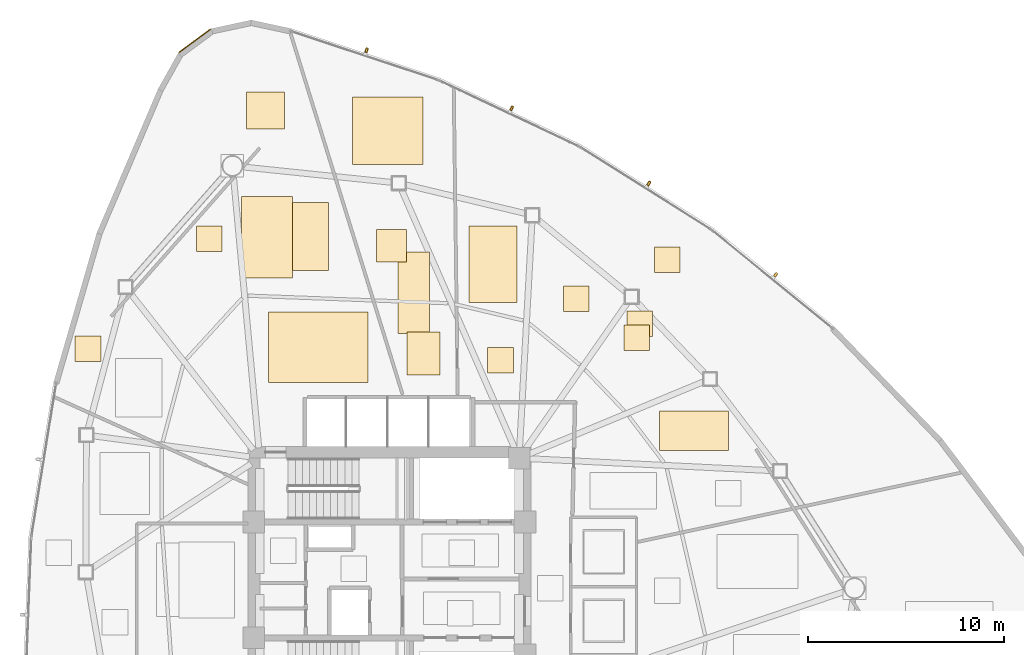
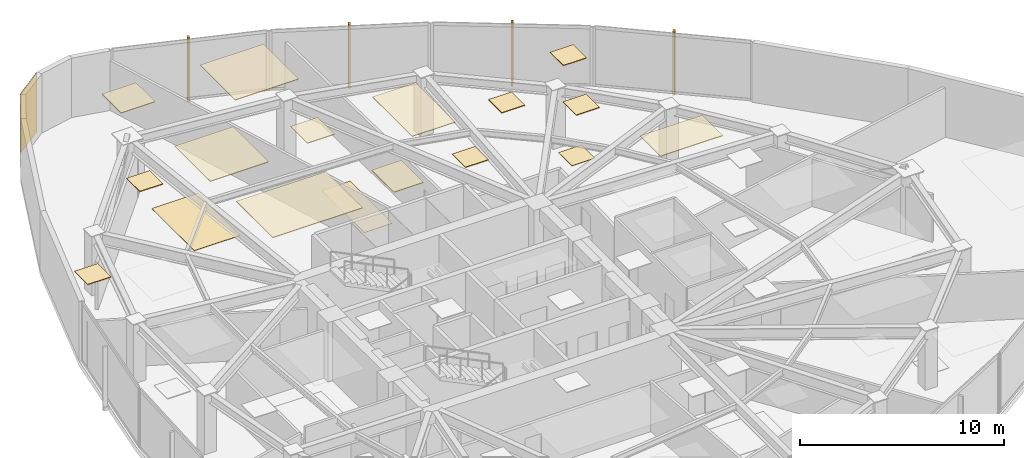
# One storey, part 17 of 17: 18 coverings, 4 shading devices.
"""IFC4 building model written with IfcOpenShell, lengths in metres."""

from ifc_helpers import new_model, si_unit, direction, frame, origin, origin_2d, place, context, subcontext, project, spatial, polyline, rectangle, outline, extrude, source, transform, mapped, material, layer, layer_set, type_object, type_shapes, element, save


model = new_model("IFC4")

# Units and contexts
model_context = context("Model", 3, precision=1e-05, world=origin(), true_north=direction((0.0, 1.0)))
body_context = subcontext(model_context, "Body", "Model", "MODEL_VIEW")
ifc_project = project(units=[si_unit("LENGTHUNIT", "METRE"), si_unit("AREAUNIT", "SQUARE_METRE"), si_unit("VOLUMEUNIT", "CUBIC_METRE"), si_unit("PLANEANGLEUNIT", "RADIAN"), si_unit("MASSUNIT", "GRAM", prefix="KILO")], contexts=[model_context])

# Site, building, storey
site_placement = place(None, origin())
site = spatial("IfcSite", under=ifc_project, at=site_placement, CompositionType="ELEMENT")
building_placement = place(site_placement, origin())
building = spatial("IfcBuilding", under=site, at=building_placement, Name="Tavelor Broadcast Tower", CompositionType="ELEMENT")
storey_placement = place(building_placement, frame((0.0, 0.0, 134.85009765625)))
storey = spatial("IfcBuildingStorey", under=building, at=storey_placement, Name="L31", CompositionType="ELEMENT", Elevation=134.85009765625)

# Coverings
ifc_material_1 = material(Name="Copper-Bronze Anodized Aluminium", Category="aluminium")
ifc_layer_1 = layer(ifc_material_1, 0.050048828125)
ifc_layer_set_1 = layer_set([ifc_layer_1], Name="Copper-Bronze Anodized Aluminium")
covering_type_1 = type_object("IfcCoveringType", Name="Champagne-Bronze Corner Pier Metal Cladding 50 mm", PredefinedType="CLADDING", material=ifc_layer_set_1)
covering_1_placement = place(storey_placement, frame((40.08740234375, 72.445068359375, 0.02001953125), z_axis=(0.0, 0.0, 1.0), x_axis=(-0.80437563527, -0.594121062902, 0.0)))
element("IfcCovering", 1, at=covering_1_placement, inside=storey, type_object=covering_type_1, Name="L31 Champagne-Bronze Corner Cladding 03", PredefinedType="CLADDING", context=body_context, shape_type="SweptSolid", body=[
    extrude(rectangle(XDim=1.989501953125, YDim=0.050048828125, at=origin_2d()), origin(), (0.0, 0.0, 1.0), 3.510009765625),
])
ifc_material_2 = material(Name="Acoustic Nylon Carpet Tile")
ifc_layer_2 = layer(ifc_material_2, 0.02001953125)
ifc_layer_set_2 = layer_set([ifc_layer_2], Name="Acoustic Nylon Carpet Tile")
covering_type_2 = type_object("IfcCoveringType", Name="Heavy-Duty Acoustic Broadcast Carpet Tile 20 mm", PredefinedType="FLOORING", material=ifc_layer_set_2)
covering_2_placement = place(storey_placement, origin())
element("IfcCovering", 2, at=covering_2_placement, inside=storey, type_object=covering_type_2, Name="L31 Broadcast Floor Finish 0443", PredefinedType="FLOORING", context=body_context, shape_type="SweptSolid", body=[
    extrude(outline(polyline([(42.47216796875, 60.36572265625), (45.070556640625, 60.36572265625), (45.070556640625, 64.52490234375), (42.47216796875, 64.52490234375), (42.47216796875, 60.36572265625)])), origin(), (0.0, 0.0, 1.0), 0.02001953125),
])
covering_3_placement = place(storey_placement, origin())
element("IfcCovering", 3, at=covering_3_placement, inside=storey, type_object=covering_type_2, Name="L31 Broadcast Floor Finish 0444", PredefinedType="FLOORING", context=body_context, shape_type="SweptSolid", body=[
    extrude(outline(polyline([(50.44091796875, 57.54248046875), (52.0478515625, 57.54248046875), (52.0478515625, 61.69970703125), (50.44091796875, 61.69970703125), (50.44091796875, 57.54248046875)])), origin(), (0.0, 0.0, 1.0), 0.02001953125),
])
covering_4_placement = place(storey_placement, origin())
element("IfcCovering", 4, at=covering_4_placement, inside=storey, type_object=covering_type_2, Name="L31 Broadcast Floor Finish 0445", PredefinedType="FLOORING", context=body_context, shape_type="SweptSolid", body=[
    extrude(outline(polyline([(62.08935546875, 57.404296875), (63.389404296875, 57.404296875), (63.389404296875, 58.7041015625), (62.08935546875, 58.7041015625), (62.08935546875, 57.404296875)])), origin(), (0.0, 0.0, 1.0), 0.02001953125),
])
ifc_material_3 = material(Name="Acoustic Mineral Fibre Tile")
ifc_layer_3 = layer(ifc_material_3, 0.0400390625)
ifc_layer_set_3 = layer_set([ifc_layer_3], Name="Acoustic Mineral Fibre Tile")
covering_type_3 = type_object("IfcCoveringType", Name="Suspended Acoustic Mineral-Fibre Office Ceiling 40 mm", PredefinedType="CEILING", material=ifc_layer_set_3)
covering_5_placement = place(storey_placement, frame((0.0, 0.0, 3.510009765625)))
element("IfcCovering", 5, at=covering_5_placement, inside=storey, type_object=covering_type_3, Name="L31 Suspended Acoustic Ceiling 1261", PredefinedType="CEILING", context=body_context, shape_type="SweptSolid", body=[
    extrude(outline(polyline([(34.006591796875, 56.114501953125), (35.306396484375, 56.114501953125), (35.306396484375, 57.41455078125), (34.006591796875, 57.41455078125), (34.006591796875, 56.114501953125)])), origin(), (0.0, 0.0, 1.0), 0.039794921875),
])
covering_6_placement = place(storey_placement, frame((0.0, 0.0, 3.510009765625)))
element("IfcCovering", 6, at=covering_6_placement, inside=storey, type_object=covering_type_3, Name="L31 Suspended Acoustic Ceiling 1263", PredefinedType="CEILING", context=body_context, shape_type="SweptSolid", body=[
    extrude(outline(polyline([(40.17724609375, 61.71240234375), (41.477294921875, 61.71240234375), (41.477294921875, 63.012451171875), (40.17724609375, 63.012451171875), (40.17724609375, 61.71240234375)])), origin(), (0.0, 0.0, 1.0), 0.039794921875),
])
covering_7_placement = place(storey_placement, frame((0.0, 0.0, 3.510009765625)))
element("IfcCovering", 7, at=covering_7_placement, inside=storey, type_object=covering_type_3, Name="L31 Suspended Acoustic Ceiling 1264", PredefinedType="CEILING", context=body_context, shape_type="SweptSolid", body=[
    extrude(outline(polyline([(43.58984375, 60.748291015625), (46.89697265625, 60.748291015625), (46.89697265625, 64.21240234375), (43.58984375, 64.21240234375), (43.58984375, 60.748291015625)])), origin(), (0.0, 0.0, 1.0), 0.039794921875),
])
covering_8_placement = place(storey_placement, frame((0.0, 0.0, 3.510009765625)))
element("IfcCovering", 8, at=covering_8_placement, inside=storey, type_object=covering_type_3, Name="L31 Suspended Acoustic Ceiling 1265", PredefinedType="CEILING", context=body_context, shape_type="SweptSolid", body=[
    extrude(outline(polyline([(42.72412109375, 67.96875), (44.6533203125, 67.96875), (44.6533203125, 69.841796875), (42.72412109375, 69.841796875), (42.72412109375, 67.96875)])), origin(), (0.0, 0.0, 1.0), 0.039794921875),
])
covering_9_placement = place(storey_placement, frame((0.0, 0.0, 3.510009765625)))
element("IfcCovering", 9, at=covering_9_placement, inside=storey, type_object=covering_type_3, Name="L31 Suspended Acoustic Ceiling 1266", PredefinedType="CEILING", context=body_context, shape_type="SweptSolid", body=[
    extrude(outline(polyline([(43.840576171875, 55.055908203125), (48.92138671875, 55.055908203125), (48.92138671875, 58.6298828125), (43.840576171875, 58.6298828125), (43.840576171875, 55.055908203125)])), origin(), (0.0, 0.0, 1.0), 0.039794921875),
])
covering_10_placement = place(storey_placement, frame((0.0, 0.0, 3.510009765625)))
element("IfcCovering", 10, at=covering_10_placement, inside=storey, type_object=covering_type_3, Name="L31 Suspended Acoustic Ceiling 1267", PredefinedType="CEILING", context=body_context, shape_type="SweptSolid", body=[
    extrude(outline(polyline([(48.122314453125, 66.1376953125), (51.7001953125, 66.1376953125), (51.7001953125, 69.5791015625), (48.122314453125, 69.5791015625), (48.122314453125, 66.1376953125)])), origin(), (0.0, 0.0, 1.0), 0.039794921875),
])
covering_11_placement = place(storey_placement, frame((0.0, 0.0, 3.510009765625)))
element("IfcCovering", 11, at=covering_11_placement, inside=storey, type_object=covering_type_3, Name="L31 Suspended Acoustic Ceiling 1268", PredefinedType="CEILING", context=body_context, shape_type="SweptSolid", body=[
    extrude(outline(polyline([(50.903564453125, 55.44580078125), (52.579833984375, 55.44580078125), (52.579833984375, 57.619384765625), (50.903564453125, 57.619384765625), (50.903564453125, 55.44580078125)])), origin(), (0.0, 0.0, 1.0), 0.039794921875),
])
covering_12_placement = place(storey_placement, frame((0.0, 0.0, 3.510009765625)))
element("IfcCovering", 12, at=covering_12_placement, inside=storey, type_object=covering_type_3, Name="L31 Suspended Acoustic Ceiling 1269", PredefinedType="CEILING", context=body_context, shape_type="SweptSolid", body=[
    extrude(outline(polyline([(49.339599609375, 61.17822265625), (50.871826171875, 61.17822265625), (50.871826171875, 62.84130859375), (49.339599609375, 62.84130859375), (49.339599609375, 61.17822265625)])), origin(), (0.0, 0.0, 1.0), 0.039794921875),
])
covering_13_placement = place(storey_placement, frame((0.0, 0.0, 3.510009765625)))
element("IfcCovering", 13, at=covering_13_placement, inside=storey, type_object=covering_type_3, Name="L31 Suspended Acoustic Ceiling 1270", PredefinedType="CEILING", context=body_context, shape_type="SweptSolid", body=[
    extrude(outline(polyline([(55.005126953125, 55.534912109375), (56.30517578125, 55.534912109375), (56.30517578125, 56.834716796875), (55.005126953125, 56.834716796875), (55.005126953125, 55.534912109375)])), origin(), (0.0, 0.0, 1.0), 0.039794921875),
])
covering_14_placement = place(storey_placement, frame((0.0, 0.0, 3.510009765625)))
element("IfcCovering", 14, at=covering_14_placement, inside=storey, type_object=covering_type_3, Name="L31 Suspended Acoustic Ceiling 1271", PredefinedType="CEILING", context=body_context, shape_type="SweptSolid", body=[
    extrude(outline(polyline([(54.060791015625, 59.122314453125), (56.496826171875, 59.122314453125), (56.496826171875, 63.00634765625), (54.060791015625, 63.00634765625), (54.060791015625, 59.122314453125)])), origin(), (0.0, 0.0, 1.0), 0.039794921875),
])
covering_15_placement = place(storey_placement, frame((0.0, 0.0, 3.510009765625)))
element("IfcCovering", 15, at=covering_15_placement, inside=storey, type_object=covering_type_3, Name="L31 Suspended Acoustic Ceiling 1272", PredefinedType="CEILING", context=body_context, shape_type="SweptSolid", body=[
    extrude(outline(polyline([(63.4931640625, 60.6591796875), (64.793212890625, 60.6591796875), (64.793212890625, 61.959228515625), (63.4931640625, 61.959228515625), (63.4931640625, 60.6591796875)])), origin(), (0.0, 0.0, 1.0), 0.039794921875),
])
covering_16_placement = place(storey_placement, frame((0.0, 0.0, 3.510009765625)))
element("IfcCovering", 16, at=covering_16_placement, inside=storey, type_object=covering_type_3, Name="L31 Suspended Acoustic Ceiling 1273", PredefinedType="CEILING", context=body_context, shape_type="SweptSolid", body=[
    extrude(outline(polyline([(63.73876953125, 51.58544921875), (67.26220703125, 51.58544921875), (67.26220703125, 53.59423828125), (63.73876953125, 53.59423828125), (63.73876953125, 51.58544921875)])), origin(), (0.0, 0.0, 1.0), 0.039794921875),
])
covering_17_placement = place(storey_placement, frame((0.0, 0.0, 3.510009765625)))
element("IfcCovering", 17, at=covering_17_placement, inside=storey, type_object=covering_type_3, Name="L31 Suspended Acoustic Ceiling 1276", PredefinedType="CEILING", context=body_context, shape_type="SweptSolid", body=[
    extrude(outline(polyline([(61.929931640625, 56.683837890625), (63.22998046875, 56.683837890625), (63.22998046875, 57.98388671875), (61.929931640625, 57.98388671875), (61.929931640625, 56.683837890625)])), origin(), (0.0, 0.0, 1.0), 0.039794921875),
])
covering_18_placement = place(storey_placement, frame((0.0, 0.0, 3.510009765625)))
element("IfcCovering", 18, at=covering_18_placement, inside=storey, type_object=covering_type_3, Name="L31 Suspended Acoustic Ceiling 1277", PredefinedType="CEILING", context=body_context, shape_type="SweptSolid", body=[
    extrude(outline(polyline([(58.86669921875, 58.669921875), (60.166748046875, 58.669921875), (60.166748046875, 59.969970703125), (58.86669921875, 59.969970703125), (58.86669921875, 58.669921875)])), origin(), (0.0, 0.0, 1.0), 0.039794921875),
])

# Shading devices
ifc_material_4 = material(Name="Kiln-Fired Glazed Terracotta", Category="masonry")
shading_device_type = type_object("IfcShadingDeviceType", Name="Extruded Terracotta Baguette Sun-Screen 110x240", PredefinedType="JALOUSIE", material=ifc_material_4)
shared_shape = source(origin(), body_context, "Body", "SweptSolid", [
    extrude(rectangle(XDim=0.110107421875, YDim=0.239990234375, at=origin_2d()), origin(), (0.0, 0.0, 1.0), 3.7900390625),
])
type_shapes(shading_device_type, [shared_shape])
for number, where, z_axis, x_axis, name in (
    (19, (69.6669921875, 60.540771484375, -0.260009765625), (0.0, 0.0, 1.0), (-0.775165061333, 0.631758757508, 0.0), "L31 Terracotta Baguette Fin 309"),
    (20, (63.204345703125, 65.1845703125, -0.260009765625), (0.0, 0.0, 1.0), (-0.846007105668, 0.533171620737, 0.0), "L31 Terracotta Baguette Fin 310"),
    (21, (56.227294921875, 69.01220703125, -0.260009765625), (0.0, 0.0, 1.0), (-0.904306189775, 0.426884428311, 0.0), "L31 Terracotta Baguette Fin 311"),
    (22, (48.83837890625, 71.96728515625, -0.260009765625), (0.0, 0.0, 1.0), (-0.949315815758, 0.314323848843, 0.0), "L31 Terracotta Baguette Fin 312"),
):
    element("IfcShadingDevice", number, at=place(storey_placement, frame(where, z_axis=z_axis, x_axis=x_axis)), inside=storey, type_object=shading_device_type, Name=name, PredefinedType="JALOUSIE", context=body_context, shape_type="MappedRepresentation", body=[
        mapped(shared_shape, transform((0.0, 0.0, 0.0), scale=1.0)),
    ])

save(model, "model.ifc")
